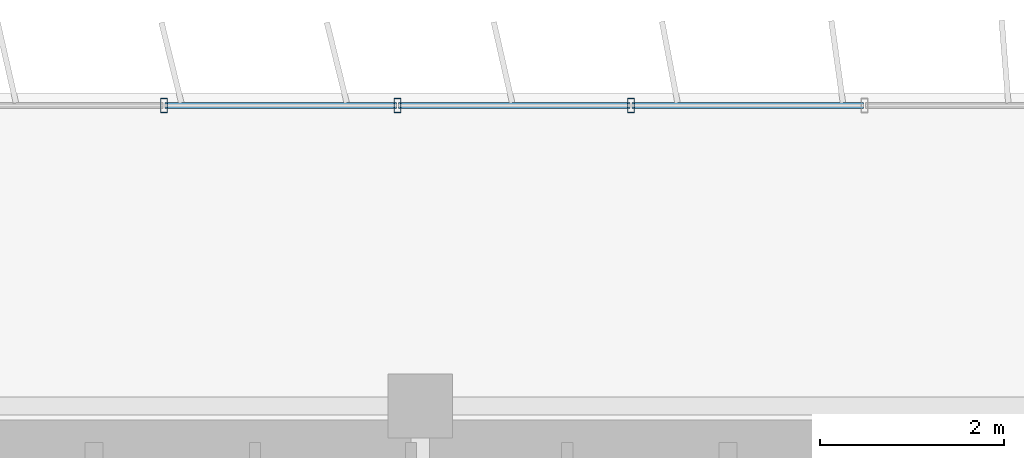
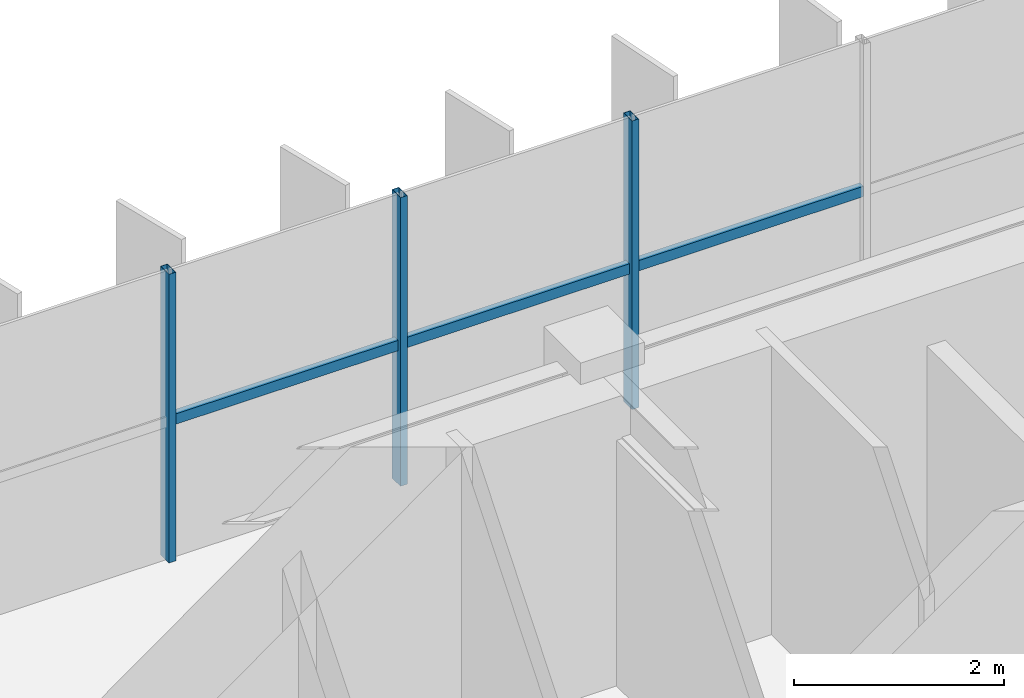
# One storey, part 9 of 20: 6 members, 1 element without a shape of its own.
"""IFC4 building model written with IfcOpenShell, lengths in metres."""

from ifc_helpers import new_model, si_unit, direction, frame, origin, origin_2d, place, context, subcontext, project, spatial, hollow_rectangle, extrude, source, transform, mapped, material, material_profile, profile_set, type_object, element, aggregate, save


model = new_model("IFC4")

# Units and contexts
model_context = context("Model", 3, precision=1e-05, world=origin(), true_north=direction((0.0, 1.0)))
body_context = subcontext(model_context, "Body", "Model", "MODEL_VIEW")
ifc_project = project(units=[si_unit("LENGTHUNIT", "METRE"), si_unit("AREAUNIT", "SQUARE_METRE"), si_unit("VOLUMEUNIT", "CUBIC_METRE"), si_unit("PLANEANGLEUNIT", "RADIAN"), si_unit("MASSUNIT", "GRAM", prefix="KILO")], contexts=[model_context])

# Site, building, storey
site_placement = place(None, origin())
site = spatial("IfcSite", under=ifc_project, at=site_placement, CompositionType="ELEMENT")
building_placement = place(site_placement, origin())
building = spatial("IfcBuilding", under=site, at=building_placement, Name="Trelvane Seafront Commons", CompositionType="ELEMENT")
storey_placement = place(building_placement, frame((0.0, 0.0, 142.89990234375)))
storey = spatial("IfcBuildingStorey", under=building, at=storey_placement, Name="L37", CompositionType="ELEMENT", Elevation=142.89990234375)

# Curtain wall, members
ifc_material = material(Name="Anodised pale-silver aluminium", Category="aluminium")
curtain_wall_type = type_object("IfcCurtainWallType", Name="ARCH-CW5-UPTOWER", PredefinedType="NOTDEFINED", material=ifc_material)
curtain_wall_placement = place(storey_placement, origin())
curtain_wall = element("IfcCurtainWall", 1, at=curtain_wall_placement, inside=storey, type_object=curtain_wall_type, Name="CW-L37-0064", PredefinedType="NOTDEFINED")
ifc_material_profile_1 = material_profile(ifc_material, hollow_rectangle(XDim=0.070068359375, YDim=0.1201171875, WallThickness=0.00390625, at=origin_2d()), Name="TRAN-70x120x4")
ifc_profile_set_1 = profile_set([ifc_material_profile_1], Name="Anodised pale-silver aluminium")
member_type_1 = type_object("IfcMemberType", Name="ARCH-CW-TRAN-120", PredefinedType="USERDEFINED", material=ifc_profile_set_1)
shared_shape_1 = source(origin(), body_context, "Body", "SweptSolid", [
    extrude(hollow_rectangle(XDim=0.070068359375, YDim=0.1201171875, WallThickness=0.00390625, at=origin_2d()), origin(), (0.0, 0.0, 1.0), 2.51708984375),
])
member_1_placement = place(storey_placement, frame((43.56494140625, 48.3701171875, 1.608154296875), z_axis=(1.0, 0.0, 0.0), x_axis=(0.0, 1.0, 0.0)))
member_1 = element("IfcMember", 2, at=member_1_placement, type_object=member_type_1, Name="CW-L37-0064-T11", ObjectType="TRANSOM", PredefinedType="USERDEFINED", context=body_context, shape_type="MappedRepresentation", body=[
    mapped(shared_shape_1, transform((0.0, 0.0, 0.0), x_axis=(1.0, 0.0, 0.0), y_axis=(0.0, 1.0, 0.0), z_axis=(0.0, 0.0, 1.0), scale=1.0)),
])
member_2_placement = place(storey_placement, frame((46.106201171875, 48.3701171875, 1.608154296875), z_axis=(1.0, 0.0, 0.0), x_axis=(0.0, 1.0, 0.0)))
member_2 = element("IfcMember", 3, at=member_2_placement, type_object=member_type_1, Name="CW-L37-0064-T12", ObjectType="TRANSOM", PredefinedType="USERDEFINED", context=body_context, shape_type="MappedRepresentation", body=[
    mapped(shared_shape_1, transform((0.0, 0.0, 0.0), x_axis=(1.0, 0.0, 0.0), y_axis=(0.0, 1.0, 0.0), z_axis=(0.0, 0.0, 1.0), scale=1.0)),
])
shared_shape_2 = source(origin(), body_context, "Body", "SweptSolid", [
    extrude(hollow_rectangle(XDim=0.070068359375, YDim=0.1201171875, WallThickness=0.00390625, at=origin_2d()), origin(), (0.0, 0.0, 1.0), 2.517333984375),
])
member_3_placement = place(storey_placement, frame((41.023681640625, 48.3701171875, 1.608154296875), z_axis=(1.0, 0.0, 0.0), x_axis=(0.0, 1.0, 0.0)))
member_3 = element("IfcMember", 4, at=member_3_placement, type_object=member_type_1, Name="CW-L37-0064-T10", ObjectType="TRANSOM", PredefinedType="USERDEFINED", context=body_context, shape_type="MappedRepresentation", body=[
    mapped(shared_shape_2, transform((0.0, 0.0, 0.0), x_axis=(1.0, 0.0, 0.0), y_axis=(0.0, 1.0, 0.0), z_axis=(0.0, 0.0, 1.0), scale=1.0)),
])
ifc_material_profile_2 = material_profile(ifc_material, hollow_rectangle(XDim=0.074951171875, YDim=0.159912109375, WallThickness=0.00390625, at=origin_2d()), Name="MULL-75x160x4")
ifc_profile_set_2 = profile_set([ifc_material_profile_2], Name="Anodised pale-silver aluminium")
member_type_2 = type_object("IfcMemberType", Name="ARCH-CW-MULL-160", PredefinedType="MULLION", material=ifc_profile_set_2)
shared_shape_3 = source(origin(), body_context, "Body", "SweptSolid", [
    extrude(hollow_rectangle(XDim=0.074951171875, YDim=0.159912109375, WallThickness=0.00390625, at=origin_2d()), origin(), (0.0, 0.0, 1.0), 3.35009765625),
])
member_4_placement = place(storey_placement, frame((41.01171875, 48.3701171875, 0.0), z_axis=(0.0, 0.0, 1.0), x_axis=(1.0, 0.0, 0.0)))
member_4 = element("IfcMember", 5, at=member_4_placement, type_object=member_type_2, Name="CW-L37-0064-M10", PredefinedType="MULLION", context=body_context, shape_type="MappedRepresentation", body=[
    mapped(shared_shape_3, transform((0.0, 0.0, 0.0), x_axis=(1.0, 0.0, 0.0), y_axis=(0.0, 1.0, 0.0), z_axis=(0.0, 0.0, 1.0), scale=1.0)),
])
member_5_placement = place(storey_placement, frame((43.552978515625, 48.3701171875, 0.0), z_axis=(0.0, 0.0, 1.0), x_axis=(1.0, 0.0, 0.0)))
member_5 = element("IfcMember", 6, at=member_5_placement, type_object=member_type_2, Name="CW-L37-0064-M11", PredefinedType="MULLION", context=body_context, shape_type="MappedRepresentation", body=[
    mapped(shared_shape_3, transform((0.0, 0.0, 0.0), x_axis=(1.0, 0.0, 0.0), y_axis=(0.0, 1.0, 0.0), z_axis=(0.0, 0.0, 1.0), scale=1.0)),
])
member_6_placement = place(storey_placement, frame((46.093994140625, 48.3701171875, 0.0), z_axis=(0.0, 0.0, 1.0), x_axis=(1.0, 0.0, 0.0)))
member_6 = element("IfcMember", 7, at=member_6_placement, type_object=member_type_2, Name="CW-L37-0064-M12", PredefinedType="MULLION", context=body_context, shape_type="MappedRepresentation", body=[
    mapped(shared_shape_3, transform((0.0, 0.0, 0.0), x_axis=(1.0, 0.0, 0.0), y_axis=(0.0, 1.0, 0.0), z_axis=(0.0, 0.0, 1.0), scale=1.0)),
])
aggregate(curtain_wall, [member_4, member_5, member_6, member_3, member_1, member_2])

save(model, "model.ifc")
